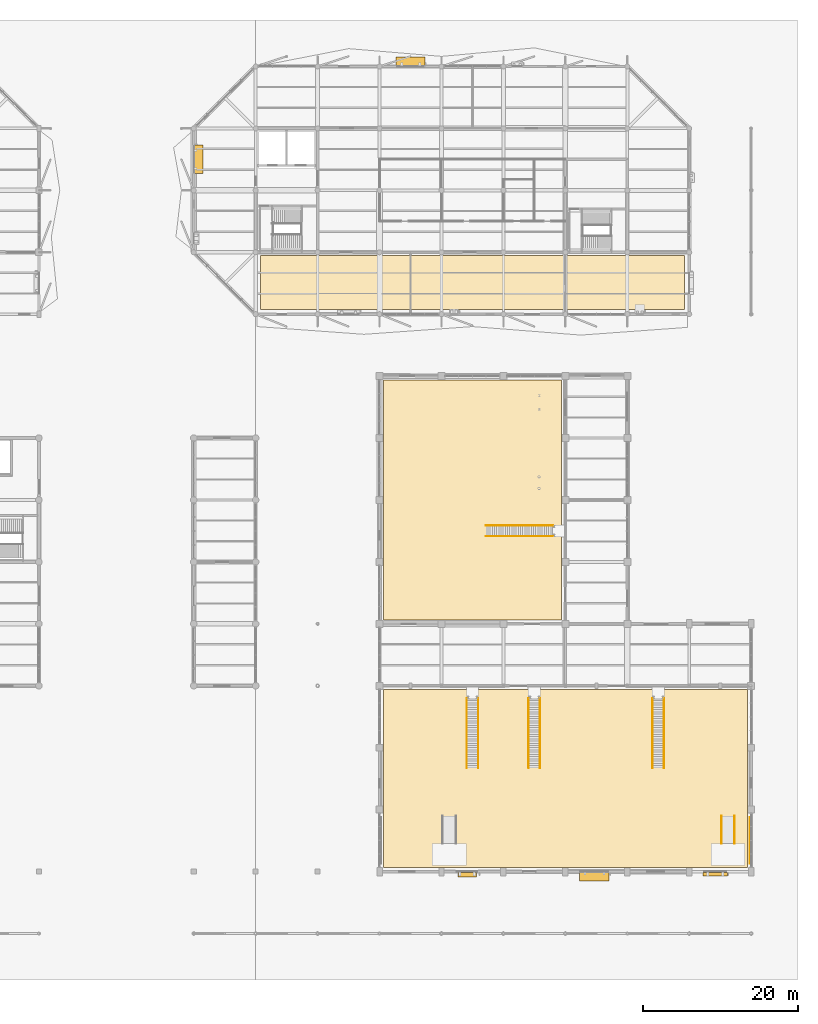
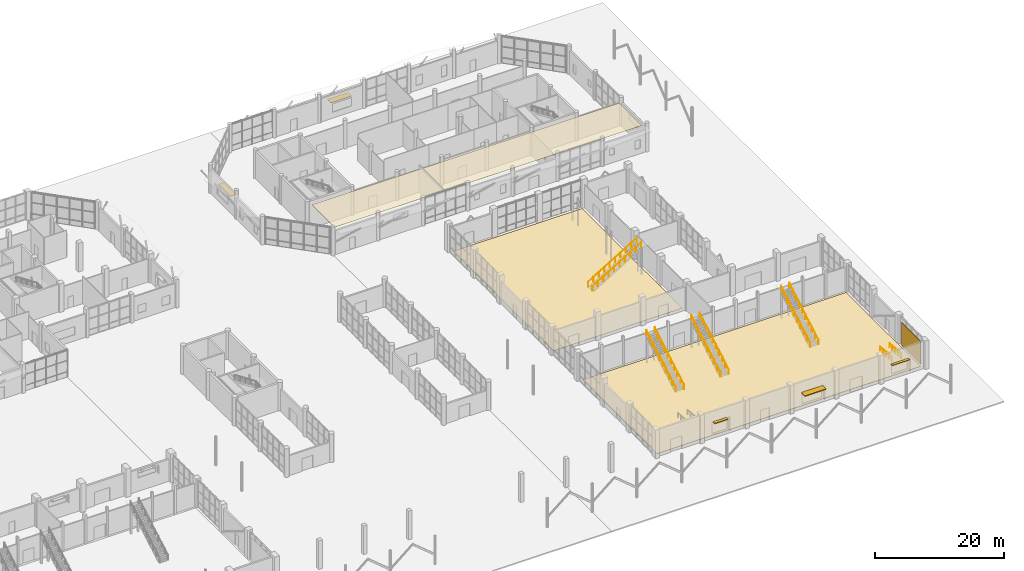
# One storey, part 121 of 123: 10 railings, 5 shading devices, 4 coverings, 5 elements without a shape of their own.
"""IFC4 building model written with IfcOpenShell, lengths in metres."""

from ifc_helpers import new_model, si_unit, direction, frame, origin, origin_2d, place, context, subcontext, project, spatial, polyline, rectangle, circle, outline, extrude, material, layer, layer_set, type_object, element, aggregate, save


model = new_model("IFC4")

# Units and contexts
model_context = context("Model", 3, precision=1e-05, world=origin(), true_north=direction((0.0, 1.0)))
body_context = subcontext(model_context, "Body", "Model", "MODEL_VIEW")
ifc_project = project(units=[si_unit("LENGTHUNIT", "METRE"), si_unit("AREAUNIT", "SQUARE_METRE"), si_unit("VOLUMEUNIT", "CUBIC_METRE"), si_unit("PLANEANGLEUNIT", "RADIAN"), si_unit("MASSUNIT", "GRAM", prefix="KILO")], contexts=[model_context])

# Site, building, storey
site_placement = place(None, origin())
site = spatial("IfcSite", under=ifc_project, at=site_placement, CompositionType="ELEMENT")
building_placement = place(site_placement, origin())
building = spatial("IfcBuilding", under=site, at=building_placement, Name="Tenunan Teduh Sports Hall", CompositionType="ELEMENT")
storey_placement = place(building_placement, origin())
storey = spatial("IfcBuildingStorey", under=building, at=storey_placement, Name="L00", CompositionType="ELEMENT", Elevation=0.0)

# Coverings
ifc_material_1 = material(Name="Perforated mineral-fibre acoustic ceiling")
ifc_layer_1 = layer(ifc_material_1, 0.0400390625)
ifc_layer_set_1 = layer_set([ifc_layer_1], Name="Perforated mineral-fibre acoustic ceiling")
covering_type_1 = type_object("IfcCoveringType", Name="COV-CLG-AC", PredefinedType="CEILING", material=ifc_layer_set_1)
covering_1_placement = place(storey_placement, frame((0.0, 0.0, 4.550048828125)))
element("IfcCovering", 1, at=covering_1_placement, inside=storey, type_object=covering_type_1, Name="COV-CLG-L00E", PredefinedType="CEILING", context=body_context, shape_type="SweptSolid", body=[
    extrude(outline(polyline([(106.60009765625, 86.60009765625), (161.39990234375, 86.60009765625), (161.39990234375, 93.60009765625), (106.60009765625, 93.60009765625), (106.60009765625, 86.60009765625)])), origin(), (0.0, 0.0, 1.0), 0.0400390625),
])
ifc_material_2 = material(Name="World Athletics vulcanised EPDM track surface")
ifc_layer_2 = layer(ifc_material_2, 0.034912109375)
ifc_layer_set_2 = layer_set([ifc_layer_2], Name="World Athletics vulcanised EPDM track surface")
covering_type_2 = type_object("IfcCoveringType", Name="COV-FLR-EPDM", PredefinedType="FLOORING", material=ifc_layer_set_2)
covering_2_placement = place(storey_placement, origin())
element("IfcCovering", 2, at=covering_2_placement, inside=storey, type_object=covering_type_2, Name="COV-FLR-CLM", PredefinedType="FLOORING", context=body_context, shape_type="SweptSolid", body=[
    extrude(outline(polyline([(122.5, 46.5), (145.5, 46.5), (145.5, 77.5), (122.5, 77.5), (122.5, 46.5)])), origin(), (0.0, 0.0, 1.0), 0.034912109375),
])
ifc_material_3 = material(Name="FIBA area-elastic sprung maple sports floor")
ifc_layer_3 = layer(ifc_material_3, 0.06494140625)
ifc_layer_set_3 = layer_set([ifc_layer_3], Name="FIBA area-elastic sprung maple sports floor")
covering_type_3 = type_object("IfcCoveringType", Name="COV-FLR-SPR", PredefinedType="FLOORING", material=ifc_layer_set_3)
covering_3_placement = place(storey_placement, origin())
element("IfcCovering", 3, at=covering_3_placement, inside=storey, type_object=covering_type_3, Name="COV-FLR-V1", PredefinedType="FLOORING", context=body_context, shape_type="SweptSolid", body=[
    extrude(outline(polyline([(122.5, 14.5), (169.5, 14.5), (169.5, 37.5), (122.5, 37.5), (122.5, 14.5)])), origin(), (0.0, 0.0, 1.0), 0.06494140625),
])
ifc_material_4 = material(Name="Slatted timber acoustic wall absorption panel", Category="wood")
ifc_layer_4 = layer(ifc_material_4, 0.050048828125)
ifc_layer_set_4 = layer_set([ifc_layer_4], Name="Slatted timber acoustic wall absorption panel")
covering_type_4 = type_object("IfcCoveringType", Name="COV-WALL-AC", PredefinedType="CLADDING", material=ifc_layer_set_4)
covering_4_placement = place(storey_placement, origin())
element("IfcCovering", 4, at=covering_4_placement, inside=storey, type_object=covering_type_4, Name="COV-WLN-02", PredefinedType="CLADDING", context=body_context, shape_type="SweptSolid", body=[
    extrude(outline(polyline([(169.81005859375, 15.0), (169.860107421875, 15.0), (169.860107421875, 21.0), (169.81005859375, 21.0), (169.81005859375, 15.0)])), origin(), (0.0, 0.0, 1.0), 4.39990234375),
])

# Stair, railings
ifc_material_5 = material(Name="Precast concrete C40/50", Category="concrete")
stair_type_1 = type_object("IfcStairType", Name="STR-VOM-E", PredefinedType="STRAIGHT_RUN_STAIR", material=ifc_material_5)
stair_1_placement = place(storey_placement, origin())
stair_1 = element("IfcStair", 5, at=stair_1_placement, inside=storey, type_object=stair_type_1, Name="STR-VOM-V1A", PredefinedType="STRAIGHT_RUN_STAIR")
ifc_material_6 = material(Name="Brushed stainless steel", Category="steel")
ifc_layer_5 = layer(ifc_material_6, 0.050048828125)
ifc_layer_set_5 = layer_set([ifc_layer_5], Name="Brushed stainless steel")
railing_type = type_object("IfcRailingType", Name="RLG-STAIR-HR", PredefinedType="HANDRAIL", material=ifc_layer_set_5)
railing_1_placement = place(storey_placement, frame((134.739990234375, 27.389892578125, 0.168701171875)))
railing_1 = element("IfcRailing", 6, at=railing_1_placement, type_object=railing_type, Name="STR-VOM-V1A-HR1", PredefinedType="HANDRAIL", context=body_context, shape_type="SweptSolid", body=[
    extrude(circle(Radius=0.02392578125, at=origin_2d()), frame((0.0, 0.0, 0.89599609375), z_axis=(0.0, 0.864320696011, 0.50294108447), x_axis=(-1.0, 0.0, 0.0)), (0.0, 0.0, 1.0), 10.401123046875),
    extrude(circle(Radius=0.02099609375, at=origin_2d()), origin(), (0.0, 0.0, 1.0), 0.871826171875),
    extrude(circle(Radius=0.02099609375, at=origin_2d()), frame((0.0, 0.998779296875, 0.581298828125)), (0.0, 0.0, 1.0), 0.871826171875),
    extrude(circle(Radius=0.02099609375, at=origin_2d()), frame((0.0, 1.997802734375, 1.16259765625)), (0.0, 0.0, 1.0), 0.871826171875),
    extrude(circle(Radius=0.02099609375, at=origin_2d()), frame((0.0, 2.99658203125, 1.74365234375)), (0.0, 0.0, 1.0), 0.871826171875),
    extrude(circle(Radius=0.02099609375, at=origin_2d()), frame((0.0, 3.99560546875, 2.324951171875)), (0.0, 0.0, 1.0), 0.871826171875),
    extrude(circle(Radius=0.02099609375, at=origin_2d()), frame((0.0, 4.994384765625, 2.90625)), (0.0, 0.0, 1.0), 0.871826171875),
    extrude(circle(Radius=0.02099609375, at=origin_2d()), frame((0.0, 5.993408203125, 3.487548828125)), (0.0, 0.0, 1.0), 0.871826171875),
    extrude(circle(Radius=0.02099609375, at=origin_2d()), frame((0.0, 6.9921875, 4.068603515625)), (0.0, 0.0, 1.0), 0.871826171875),
    extrude(circle(Radius=0.02099609375, at=origin_2d()), frame((0.0, 7.9912109375, 4.64990234375)), (0.0, 0.0, 1.0), 0.871826171875),
    extrude(circle(Radius=0.02099609375, at=origin_2d()), frame((0.0, 8.989990234375, 5.231201171875)), (0.0, 0.0, 1.0), 0.871826171875),
])
railing_2_placement = place(storey_placement, frame((133.260009765625, 27.389892578125, 0.168701171875)))
railing_2 = element("IfcRailing", 7, at=railing_2_placement, type_object=railing_type, Name="STR-VOM-V1A-HR2", PredefinedType="HANDRAIL", context=body_context, shape_type="SweptSolid", body=[
    extrude(circle(Radius=0.02392578125, at=origin_2d()), frame((0.0, 0.0, 0.89599609375), z_axis=(0.0, 0.864320696011, 0.50294108447), x_axis=(-1.0, 0.0, 0.0)), (0.0, 0.0, 1.0), 10.401123046875),
    extrude(circle(Radius=0.02099609375, at=origin_2d()), origin(), (0.0, 0.0, 1.0), 0.871826171875),
    extrude(circle(Radius=0.02099609375, at=origin_2d()), frame((0.0, 0.998779296875, 0.581298828125)), (0.0, 0.0, 1.0), 0.871826171875),
    extrude(circle(Radius=0.02099609375, at=origin_2d()), frame((0.0, 1.997802734375, 1.16259765625)), (0.0, 0.0, 1.0), 0.871826171875),
    extrude(circle(Radius=0.02099609375, at=origin_2d()), frame((0.0, 2.99658203125, 1.74365234375)), (0.0, 0.0, 1.0), 0.871826171875),
    extrude(circle(Radius=0.02099609375, at=origin_2d()), frame((0.0, 3.99560546875, 2.324951171875)), (0.0, 0.0, 1.0), 0.871826171875),
    extrude(circle(Radius=0.02099609375, at=origin_2d()), frame((0.0, 4.994384765625, 2.90625)), (0.0, 0.0, 1.0), 0.871826171875),
    extrude(circle(Radius=0.02099609375, at=origin_2d()), frame((0.0, 5.993408203125, 3.487548828125)), (0.0, 0.0, 1.0), 0.871826171875),
    extrude(circle(Radius=0.02099609375, at=origin_2d()), frame((0.0, 6.9921875, 4.068603515625)), (0.0, 0.0, 1.0), 0.871826171875),
    extrude(circle(Radius=0.02099609375, at=origin_2d()), frame((0.0, 7.9912109375, 4.64990234375)), (0.0, 0.0, 1.0), 0.871826171875),
    extrude(circle(Radius=0.02099609375, at=origin_2d()), frame((0.0, 8.989990234375, 5.231201171875)), (0.0, 0.0, 1.0), 0.871826171875),
])
aggregate(stair_1, [railing_1, railing_2])

stair_2_placement = place(storey_placement, origin())
stair_2 = element("IfcStair", 8, at=stair_2_placement, inside=storey, type_object=stair_type_1, Name="STR-VOM-V1M", PredefinedType="STRAIGHT_RUN_STAIR")
railing_3_placement = place(storey_placement, frame((142.739990234375, 27.389892578125, 0.168701171875)))
railing_3 = element("IfcRailing", 9, at=railing_3_placement, type_object=railing_type, Name="STR-VOM-V1M-HR1", PredefinedType="HANDRAIL", context=body_context, shape_type="SweptSolid", body=[
    extrude(circle(Radius=0.02392578125, at=origin_2d()), frame((0.0, 0.0, 0.89599609375), z_axis=(0.0, 0.864320696011, 0.50294108447), x_axis=(-1.0, 0.0, 0.0)), (0.0, 0.0, 1.0), 10.401123046875),
    extrude(circle(Radius=0.02099609375, at=origin_2d()), origin(), (0.0, 0.0, 1.0), 0.871826171875),
    extrude(circle(Radius=0.02099609375, at=origin_2d()), frame((0.0, 0.998779296875, 0.581298828125)), (0.0, 0.0, 1.0), 0.871826171875),
    extrude(circle(Radius=0.02099609375, at=origin_2d()), frame((0.0, 1.997802734375, 1.16259765625)), (0.0, 0.0, 1.0), 0.871826171875),
    extrude(circle(Radius=0.02099609375, at=origin_2d()), frame((0.0, 2.99658203125, 1.74365234375)), (0.0, 0.0, 1.0), 0.871826171875),
    extrude(circle(Radius=0.02099609375, at=origin_2d()), frame((0.0, 3.99560546875, 2.324951171875)), (0.0, 0.0, 1.0), 0.871826171875),
    extrude(circle(Radius=0.02099609375, at=origin_2d()), frame((0.0, 4.994384765625, 2.90625)), (0.0, 0.0, 1.0), 0.871826171875),
    extrude(circle(Radius=0.02099609375, at=origin_2d()), frame((0.0, 5.993408203125, 3.487548828125)), (0.0, 0.0, 1.0), 0.871826171875),
    extrude(circle(Radius=0.02099609375, at=origin_2d()), frame((0.0, 6.9921875, 4.068603515625)), (0.0, 0.0, 1.0), 0.871826171875),
    extrude(circle(Radius=0.02099609375, at=origin_2d()), frame((0.0, 7.9912109375, 4.64990234375)), (0.0, 0.0, 1.0), 0.871826171875),
    extrude(circle(Radius=0.02099609375, at=origin_2d()), frame((0.0, 8.989990234375, 5.231201171875)), (0.0, 0.0, 1.0), 0.871826171875),
])
railing_4_placement = place(storey_placement, frame((141.260009765625, 27.389892578125, 0.168701171875)))
railing_4 = element("IfcRailing", 10, at=railing_4_placement, type_object=railing_type, Name="STR-VOM-V1M-HR2", PredefinedType="HANDRAIL", context=body_context, shape_type="SweptSolid", body=[
    extrude(circle(Radius=0.02392578125, at=origin_2d()), frame((0.0, 0.0, 0.89599609375), z_axis=(0.0, 0.864320696011, 0.50294108447), x_axis=(-1.0, 0.0, 0.0)), (0.0, 0.0, 1.0), 10.401123046875),
    extrude(circle(Radius=0.02099609375, at=origin_2d()), origin(), (0.0, 0.0, 1.0), 0.871826171875),
    extrude(circle(Radius=0.02099609375, at=origin_2d()), frame((0.0, 0.998779296875, 0.581298828125)), (0.0, 0.0, 1.0), 0.871826171875),
    extrude(circle(Radius=0.02099609375, at=origin_2d()), frame((0.0, 1.997802734375, 1.16259765625)), (0.0, 0.0, 1.0), 0.871826171875),
    extrude(circle(Radius=0.02099609375, at=origin_2d()), frame((0.0, 2.99658203125, 1.74365234375)), (0.0, 0.0, 1.0), 0.871826171875),
    extrude(circle(Radius=0.02099609375, at=origin_2d()), frame((0.0, 3.99560546875, 2.324951171875)), (0.0, 0.0, 1.0), 0.871826171875),
    extrude(circle(Radius=0.02099609375, at=origin_2d()), frame((0.0, 4.994384765625, 2.90625)), (0.0, 0.0, 1.0), 0.871826171875),
    extrude(circle(Radius=0.02099609375, at=origin_2d()), frame((0.0, 5.993408203125, 3.487548828125)), (0.0, 0.0, 1.0), 0.871826171875),
    extrude(circle(Radius=0.02099609375, at=origin_2d()), frame((0.0, 6.9921875, 4.068603515625)), (0.0, 0.0, 1.0), 0.871826171875),
    extrude(circle(Radius=0.02099609375, at=origin_2d()), frame((0.0, 7.9912109375, 4.64990234375)), (0.0, 0.0, 1.0), 0.871826171875),
    extrude(circle(Radius=0.02099609375, at=origin_2d()), frame((0.0, 8.989990234375, 5.231201171875)), (0.0, 0.0, 1.0), 0.871826171875),
])
aggregate(stair_2, [railing_3, railing_4])

stair_3_placement = place(storey_placement, origin())
stair_3 = element("IfcStair", 11, at=stair_3_placement, inside=storey, type_object=stair_type_1, Name="STR-VOM-V1B", PredefinedType="STRAIGHT_RUN_STAIR")
railing_5_placement = place(storey_placement, frame((158.739990234375, 27.389892578125, 0.168701171875)))
railing_5 = element("IfcRailing", 12, at=railing_5_placement, type_object=railing_type, Name="STR-VOM-V1B-HR1", PredefinedType="HANDRAIL", context=body_context, shape_type="SweptSolid", body=[
    extrude(circle(Radius=0.02392578125, at=origin_2d()), frame((0.0, 0.0, 0.89599609375), z_axis=(0.0, 0.864320696011, 0.50294108447), x_axis=(-1.0, 0.0, 0.0)), (0.0, 0.0, 1.0), 10.401123046875),
    extrude(circle(Radius=0.02099609375, at=origin_2d()), origin(), (0.0, 0.0, 1.0), 0.871826171875),
    extrude(circle(Radius=0.02099609375, at=origin_2d()), frame((0.0, 0.998779296875, 0.581298828125)), (0.0, 0.0, 1.0), 0.871826171875),
    extrude(circle(Radius=0.02099609375, at=origin_2d()), frame((0.0, 1.997802734375, 1.16259765625)), (0.0, 0.0, 1.0), 0.871826171875),
    extrude(circle(Radius=0.02099609375, at=origin_2d()), frame((0.0, 2.99658203125, 1.74365234375)), (0.0, 0.0, 1.0), 0.871826171875),
    extrude(circle(Radius=0.02099609375, at=origin_2d()), frame((0.0, 3.99560546875, 2.324951171875)), (0.0, 0.0, 1.0), 0.871826171875),
    extrude(circle(Radius=0.02099609375, at=origin_2d()), frame((0.0, 4.994384765625, 2.90625)), (0.0, 0.0, 1.0), 0.871826171875),
    extrude(circle(Radius=0.02099609375, at=origin_2d()), frame((0.0, 5.993408203125, 3.487548828125)), (0.0, 0.0, 1.0), 0.871826171875),
    extrude(circle(Radius=0.02099609375, at=origin_2d()), frame((0.0, 6.9921875, 4.068603515625)), (0.0, 0.0, 1.0), 0.871826171875),
    extrude(circle(Radius=0.02099609375, at=origin_2d()), frame((0.0, 7.9912109375, 4.64990234375)), (0.0, 0.0, 1.0), 0.871826171875),
    extrude(circle(Radius=0.02099609375, at=origin_2d()), frame((0.0, 8.989990234375, 5.231201171875)), (0.0, 0.0, 1.0), 0.871826171875),
])
railing_6_placement = place(storey_placement, frame((157.260009765625, 27.389892578125, 0.168701171875)))
railing_6 = element("IfcRailing", 13, at=railing_6_placement, type_object=railing_type, Name="STR-VOM-V1B-HR2", PredefinedType="HANDRAIL", context=body_context, shape_type="SweptSolid", body=[
    extrude(circle(Radius=0.02392578125, at=origin_2d()), frame((0.0, 0.0, 0.89599609375), z_axis=(0.0, 0.864320696011, 0.50294108447), x_axis=(-1.0, 0.0, 0.0)), (0.0, 0.0, 1.0), 10.401123046875),
    extrude(circle(Radius=0.02099609375, at=origin_2d()), origin(), (0.0, 0.0, 1.0), 0.871826171875),
    extrude(circle(Radius=0.02099609375, at=origin_2d()), frame((0.0, 0.998779296875, 0.581298828125)), (0.0, 0.0, 1.0), 0.871826171875),
    extrude(circle(Radius=0.02099609375, at=origin_2d()), frame((0.0, 1.997802734375, 1.16259765625)), (0.0, 0.0, 1.0), 0.871826171875),
    extrude(circle(Radius=0.02099609375, at=origin_2d()), frame((0.0, 2.99658203125, 1.74365234375)), (0.0, 0.0, 1.0), 0.871826171875),
    extrude(circle(Radius=0.02099609375, at=origin_2d()), frame((0.0, 3.99560546875, 2.324951171875)), (0.0, 0.0, 1.0), 0.871826171875),
    extrude(circle(Radius=0.02099609375, at=origin_2d()), frame((0.0, 4.994384765625, 2.90625)), (0.0, 0.0, 1.0), 0.871826171875),
    extrude(circle(Radius=0.02099609375, at=origin_2d()), frame((0.0, 5.993408203125, 3.487548828125)), (0.0, 0.0, 1.0), 0.871826171875),
    extrude(circle(Radius=0.02099609375, at=origin_2d()), frame((0.0, 6.9921875, 4.068603515625)), (0.0, 0.0, 1.0), 0.871826171875),
    extrude(circle(Radius=0.02099609375, at=origin_2d()), frame((0.0, 7.9912109375, 4.64990234375)), (0.0, 0.0, 1.0), 0.871826171875),
    extrude(circle(Radius=0.02099609375, at=origin_2d()), frame((0.0, 8.989990234375, 5.231201171875)), (0.0, 0.0, 1.0), 0.871826171875),
])
aggregate(stair_3, [railing_5, railing_6])

ifc_material_7 = material(Name="Precast concrete C40/50", Category="concrete")
stair_type_2 = type_object("IfcStairType", Name="STR-CLM-MEZ", PredefinedType="STRAIGHT_RUN_STAIR", material=ifc_material_7)
stair_4_placement = place(storey_placement, origin())
stair_4 = element("IfcStair", 14, at=stair_4_placement, inside=storey, type_object=stair_type_2, Name="STR-VOM-CL1", PredefinedType="STRAIGHT_RUN_STAIR")
railing_7_placement = place(storey_placement, frame((135.719970703125, 57.31005859375, 0.168701171875)))
railing_7 = element("IfcRailing", 15, at=railing_7_placement, type_object=railing_type, Name="STR-VOM-CL1-HR1", PredefinedType="HANDRAIL", context=body_context, shape_type="SweptSolid", body=[
    extrude(circle(Radius=0.02392578125, at=origin_2d()), frame((0.0, 0.0, 0.89599609375), z_axis=(0.856479478481, 0.0, 0.516181075729), x_axis=(0.0, 1.0, 0.0)), (0.0, 0.0, 1.0), 10.134521484375),
    extrude(circle(Radius=0.02099609375, at=origin_2d()), origin(), (0.0, 0.0, 1.0), 0.871826171875),
    extrude(circle(Radius=0.02099609375, at=origin_2d()), frame((0.96435546875, 0.0, 0.581298828125)), (0.0, 0.0, 1.0), 0.871826171875),
    extrude(circle(Radius=0.02099609375, at=origin_2d()), frame((1.928955078125, 0.0, 1.16259765625)), (0.0, 0.0, 1.0), 0.871826171875),
    extrude(circle(Radius=0.02099609375, at=origin_2d()), frame((2.893310546875, 0.0, 1.74365234375)), (0.0, 0.0, 1.0), 0.871826171875),
    extrude(circle(Radius=0.02099609375, at=origin_2d()), frame((3.857666015625, 0.0, 2.324951171875)), (0.0, 0.0, 1.0), 0.871826171875),
    extrude(circle(Radius=0.02099609375, at=origin_2d()), frame((4.822265625, 0.0, 2.90625)), (0.0, 0.0, 1.0), 0.871826171875),
    extrude(circle(Radius=0.02099609375, at=origin_2d()), frame((5.78662109375, 0.0, 3.487548828125)), (0.0, 0.0, 1.0), 0.871826171875),
    extrude(circle(Radius=0.02099609375, at=origin_2d()), frame((6.7509765625, 0.0, 4.068603515625)), (0.0, 0.0, 1.0), 0.871826171875),
    extrude(circle(Radius=0.02099609375, at=origin_2d()), frame((7.715576171875, 0.0, 4.64990234375)), (0.0, 0.0, 1.0), 0.871826171875),
    extrude(circle(Radius=0.02099609375, at=origin_2d()), frame((8.679931640625, 0.0, 5.231201171875)), (0.0, 0.0, 1.0), 0.871826171875),
])
railing_8_placement = place(storey_placement, frame((135.719970703125, 58.68994140625, 0.168701171875)))
railing_8 = element("IfcRailing", 16, at=railing_8_placement, type_object=railing_type, Name="STR-VOM-CL1-HR2", PredefinedType="HANDRAIL", context=body_context, shape_type="SweptSolid", body=[
    extrude(circle(Radius=0.02392578125, at=origin_2d()), frame((0.0, 0.0, 0.89599609375), z_axis=(0.856479478481, 0.0, 0.516181075729), x_axis=(0.0, 1.0, 0.0)), (0.0, 0.0, 1.0), 10.134521484375),
    extrude(circle(Radius=0.02099609375, at=origin_2d()), origin(), (0.0, 0.0, 1.0), 0.871826171875),
    extrude(circle(Radius=0.02099609375, at=origin_2d()), frame((0.96435546875, 0.0, 0.581298828125)), (0.0, 0.0, 1.0), 0.871826171875),
    extrude(circle(Radius=0.02099609375, at=origin_2d()), frame((1.928955078125, 0.0, 1.16259765625)), (0.0, 0.0, 1.0), 0.871826171875),
    extrude(circle(Radius=0.02099609375, at=origin_2d()), frame((2.893310546875, 0.0, 1.74365234375)), (0.0, 0.0, 1.0), 0.871826171875),
    extrude(circle(Radius=0.02099609375, at=origin_2d()), frame((3.857666015625, 0.0, 2.324951171875)), (0.0, 0.0, 1.0), 0.871826171875),
    extrude(circle(Radius=0.02099609375, at=origin_2d()), frame((4.822265625, 0.0, 2.90625)), (0.0, 0.0, 1.0), 0.871826171875),
    extrude(circle(Radius=0.02099609375, at=origin_2d()), frame((5.78662109375, 0.0, 3.487548828125)), (0.0, 0.0, 1.0), 0.871826171875),
    extrude(circle(Radius=0.02099609375, at=origin_2d()), frame((6.7509765625, 0.0, 4.068603515625)), (0.0, 0.0, 1.0), 0.871826171875),
    extrude(circle(Radius=0.02099609375, at=origin_2d()), frame((7.715576171875, 0.0, 4.64990234375)), (0.0, 0.0, 1.0), 0.871826171875),
    extrude(circle(Radius=0.02099609375, at=origin_2d()), frame((8.679931640625, 0.0, 5.231201171875)), (0.0, 0.0, 1.0), 0.871826171875),
])
aggregate(stair_4, [railing_7, railing_8])

# Ramp, railings
ifc_material_8 = material(Name="Concrete C40/50", Category="concrete")
ramp_type = type_object("IfcRampType", Name="RMP-PED-112", PredefinedType="STRAIGHT_RUN_RAMP", material=ifc_material_8)
ramp_placement = place(storey_placement, origin())
ramp = element("IfcRamp", 17, at=ramp_placement, inside=storey, type_object=ramp_type, Name="Accessible Court Viewing Platform Ramp 4", PredefinedType="STRAIGHT_RUN_RAMP")
railing_9_placement = place(storey_placement, frame((166.14990234375, 21.199951171875, 0.0)))
railing_9 = element("IfcRailing", 18, at=railing_9_placement, type_object=railing_type, Name="RMP-PED-04-HR1", PredefinedType="HANDRAIL", context=body_context, shape_type="SweptSolid", body=[
    extrude(circle(Radius=0.02392578125, at=origin_2d()), frame((0.0, 0.0, 0.89599609375), z_axis=(0.0, -0.996544359788, 0.083062259626), x_axis=(1.0, 0.0, 0.0)), (0.0, 0.0, 1.0), 3.6123046875),
    extrude(circle(Radius=0.02099609375, at=origin_2d()), origin(), (0.0, 0.0, 1.0), 0.871826171875),
    extrude(circle(Radius=0.02099609375, at=origin_2d()), frame((0.0, -0.89990234375, 0.074951171875)), (0.0, 0.0, 1.0), 0.871826171875),
    extrude(circle(Radius=0.02099609375, at=origin_2d()), frame((0.0, -1.7998046875, 0.14990234375)), (0.0, 0.0, 1.0), 0.871826171875),
    extrude(circle(Radius=0.02099609375, at=origin_2d()), frame((0.0, -2.699951171875, 0.22509765625)), (0.0, 0.0, 1.0), 0.871826171875),
    extrude(circle(Radius=0.02099609375, at=origin_2d()), frame((0.0, -3.599853515625, 0.300048828125)), (0.0, 0.0, 1.0), 0.871826171875),
])
railing_10_placement = place(storey_placement, frame((167.85009765625, 21.199951171875, 0.0)))
railing_10 = element("IfcRailing", 19, at=railing_10_placement, type_object=railing_type, Name="RMP-PED-04-HR2", PredefinedType="HANDRAIL", context=body_context, shape_type="SweptSolid", body=[
    extrude(circle(Radius=0.02392578125, at=origin_2d()), frame((0.0, 0.0, 0.89599609375), z_axis=(0.0, -0.996544359788, 0.083062259626), x_axis=(1.0, 0.0, 0.0)), (0.0, 0.0, 1.0), 3.6123046875),
    extrude(circle(Radius=0.02099609375, at=origin_2d()), origin(), (0.0, 0.0, 1.0), 0.871826171875),
    extrude(circle(Radius=0.02099609375, at=origin_2d()), frame((0.0, -0.89990234375, 0.074951171875)), (0.0, 0.0, 1.0), 0.871826171875),
    extrude(circle(Radius=0.02099609375, at=origin_2d()), frame((0.0, -1.7998046875, 0.14990234375)), (0.0, 0.0, 1.0), 0.871826171875),
    extrude(circle(Radius=0.02099609375, at=origin_2d()), frame((0.0, -2.699951171875, 0.22509765625)), (0.0, 0.0, 1.0), 0.871826171875),
    extrude(circle(Radius=0.02099609375, at=origin_2d()), frame((0.0, -3.599853515625, 0.300048828125)), (0.0, 0.0, 1.0), 0.871826171875),
])
aggregate(ramp, [railing_9, railing_10])

# Shading devices
ifc_material_9 = material(Name="Perforated anodised aluminium", Category="aluminium")
shading_device_type_1 = type_object("IfcShadingDeviceType", Name="SHD-LOUVRE-1", PredefinedType="AWNING", material=ifc_material_9)
shading_device_1_placement = place(storey_placement, frame((165.375, 13.639892578125, 2.820068359375), z_axis=(0.0, 0.0, 1.0), x_axis=(1.0, 0.0, 0.0)))
element("IfcShadingDevice", 20, at=shading_device_1_placement, inside=storey, type_object=shading_device_type_1, Name="SHD-L00-003", PredefinedType="AWNING", context=body_context, shape_type="SweptSolid", body=[
    extrude(rectangle(XDim=3.14990234375, YDim=0.449951171875, at=origin_2d()), origin(), (0.0, 0.0, 1.0), 0.080078125),
])
ifc_material_10 = material(Name="Perforated anodised aluminium", Category="aluminium")
shading_device_type_2 = type_object("IfcShadingDeviceType", Name="SHD-LOUVRE-2", PredefinedType="SHUTTER", material=ifc_material_10)
shading_device_2_placement = place(storey_placement, frame((133.300048828125, 13.590087890625, 3.01513671875), z_axis=(0.0, 0.0, 1.0), x_axis=(1.0, 0.0, 0.0)))
element("IfcShadingDevice", 21, at=shading_device_2_placement, inside=storey, type_object=shading_device_type_2, Name="SHD-L00-001", PredefinedType="SHUTTER", context=body_context, shape_type="SweptSolid", body=[
    extrude(rectangle(XDim=2.39990234375, YDim=0.550048828125, at=origin_2d()), origin(), (0.0, 0.0, 1.0), 0.090087890625),
])
ifc_material_11 = material(Name="Perforated anodised aluminium", Category="aluminium")
shading_device_type_3 = type_object("IfcShadingDeviceType", Name="SHD-SUNSHADE-1", PredefinedType="JALOUSIE", material=ifc_material_11)
shading_device_3_placement = place(storey_placement, frame((149.75, 13.31494140625, 3.0), z_axis=(0.0, 0.0, 1.0), x_axis=(1.0, 0.0, 0.0)))
element("IfcShadingDevice", 22, at=shading_device_3_placement, inside=storey, type_object=shading_device_type_3, Name="SHD-L00-002", PredefinedType="JALOUSIE", context=body_context, shape_type="SweptSolid", body=[
    extrude(rectangle(XDim=3.800048828125, YDim=1.10009765625, at=origin_2d()), origin(), (0.0, 0.0, 1.0), 0.1201171875),
])
for number, where, z_axis, x_axis, name in (
    (23, (126.0048828125, 118.6650390625, 2.699951171875), (0.0, 0.0, 1.0), (1.0, 0.0, 0.0), "SHD-L00-077"),
    (24, (98.6650390625, 105.9951171875, 2.699951171875), (0.0, 0.0, 1.0), (0.0, 1.0, 0.0), "SHD-L00-080"),
):
    element("IfcShadingDevice", number, at=place(storey_placement, frame(where, z_axis=z_axis, x_axis=x_axis)), inside=storey, type_object=shading_device_type_3, Name=name, PredefinedType="JALOUSIE", context=body_context, shape_type="SweptSolid", body=[
        extrude(rectangle(XDim=3.699951171875, YDim=1.10009765625, at=origin_2d()), origin(), (0.0, 0.0, 1.0), 0.1201171875),
    ])

save(model, "model.ifc")
